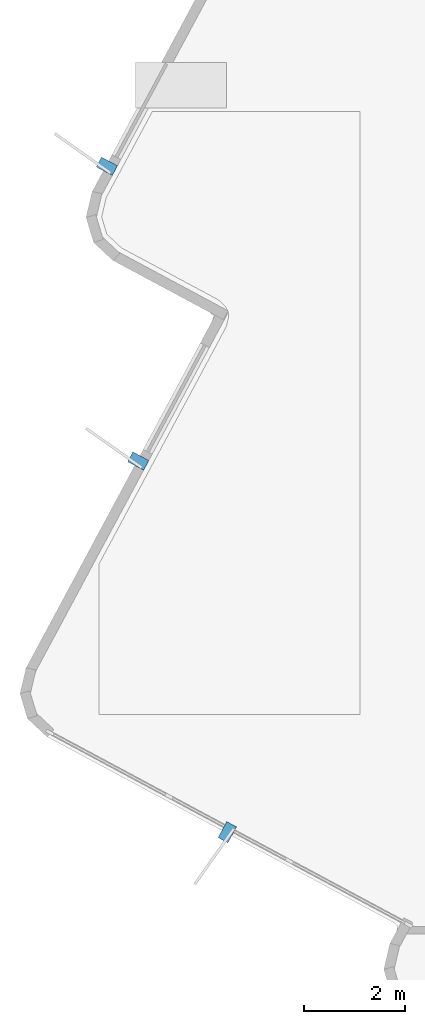
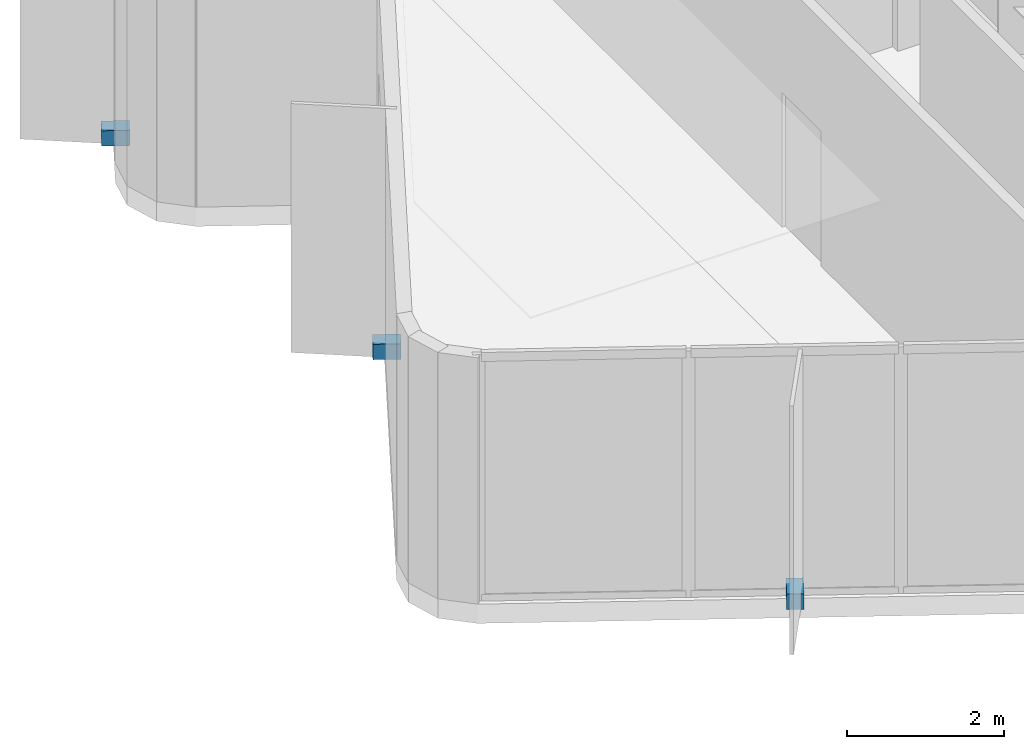
# One storey, part 6 of 9: 3 discrete accessories.
"""IFC4 building model written with IfcOpenShell, lengths in metres."""

from ifc_helpers import new_model, si_unit, direction, frame, origin, origin_2d, place, context, subcontext, project, spatial, rectangle, extrude, material, type_object, element, save


model = new_model("IFC4")

# Units and contexts
model_context = context("Model", 3, precision=1e-05, world=origin(), true_north=direction((0.0, 1.0)))
body_context = subcontext(model_context, "Body", "Model", "MODEL_VIEW")
ifc_project = project(units=[si_unit("LENGTHUNIT", "METRE"), si_unit("AREAUNIT", "SQUARE_METRE"), si_unit("VOLUMEUNIT", "CUBIC_METRE"), si_unit("PLANEANGLEUNIT", "RADIAN"), si_unit("MASSUNIT", "GRAM", prefix="KILO")], contexts=[model_context])

# Site, building, storey
site_placement = place(None, origin())
site = spatial("IfcSite", under=ifc_project, at=site_placement, CompositionType="ELEMENT")
building_placement = place(site_placement, origin())
building = spatial("IfcBuilding", under=site, at=building_placement, Name="Solmarez Civic Tower", CompositionType="ELEMENT")
storey_placement = place(building_placement, frame((0.0, 0.0, 285.1201171875)))
storey = spatial("IfcBuildingStorey", under=building, at=storey_placement, Name="L77 Crown", CompositionType="ELEMENT", Elevation=285.1201171875)

# Discrete accessories
ifc_material = material(Name="Stainless Steel Grade 1.4401", Category="steel")
discrete_accessory_type = type_object("IfcDiscreteAccessoryType", Name="BRACKET-SS-FIN", PredefinedType="BRACKET", material=ifc_material)
for number, where, z_axis, x_axis, name in (
    (1, (-15.23193359375, -8.319091796875, -0.06005859375), (0.0, 0.0, 1.0), (-0.47248051171, -0.881341117873, 0.0), "L77 Crown Stainless Fin Support Bracket FIN-L77 Crown-02"),
    (2, (-16.9990234375, -0.9560546875, -0.06005859375), (0.0, 0.0, 1.0), (-0.881261463829, 0.472629064247, 0.0), "L77 Crown Stainless Fin Support Bracket FIN-L77 Crown-03"),
    (3, (-17.62109375, 4.89111328125, -0.06005859375), (0.0, 0.0, 1.0), (-0.881277534411, 0.472599097908, 0.0), "L77 Crown Stainless Fin Support Bracket FIN-L77 Crown-04"),
):
    element("IfcDiscreteAccessory", number, at=place(storey_placement, frame(where, z_axis=z_axis, x_axis=x_axis)), inside=storey, type_object=discrete_accessory_type, Name=name, PredefinedType="BRACKET", context=body_context, shape_type="SweptSolid", body=[
        extrude(rectangle(XDim=0.360107421875, YDim=0.219970703125, at=origin_2d()), origin(), (0.0, 0.0, 1.0), 0.239990234375),
    ])

save(model, "model.ifc")
